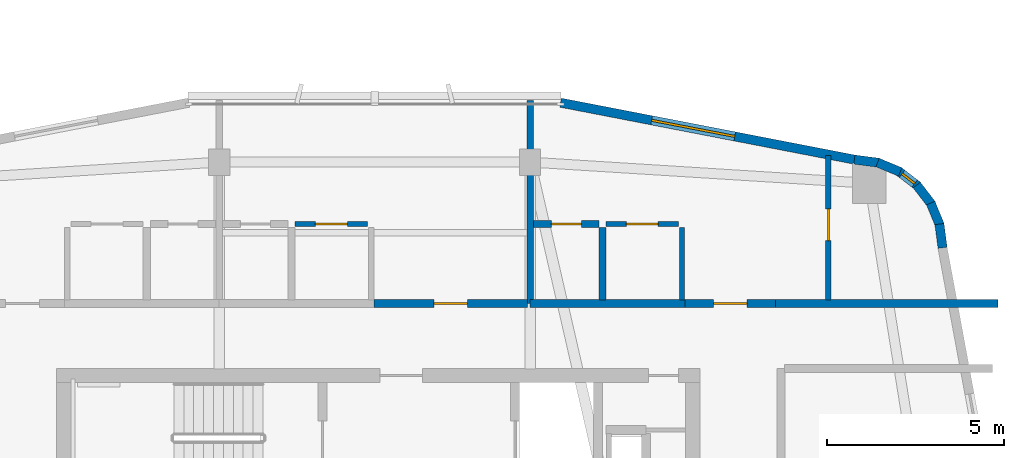
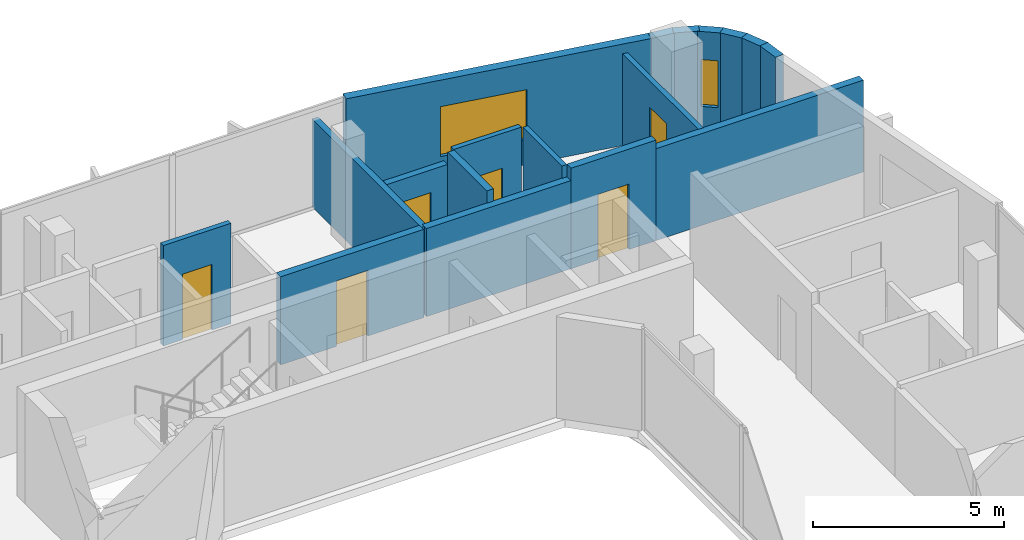
# One storey, part 20 of 26: 18 walls, 6 doors, 2 windows, 8 openings.
"""IFC4 building model written with IfcOpenShell, lengths in metres."""

from ifc_helpers import new_model, si_unit, derived_unit, direction, frame, frame_2d, origin, place, context, subcontext, project, spatial, rectangle, extrude, material, layer, layer_set, type_object, element, fill, save


model = new_model("IFC4")

# Units and contexts
model_context = context("Model", 3, precision=1e-05, world=origin(), true_north=direction((0.0, 1.0)))
body_context = subcontext(model_context, "Body", "Model", "MODEL_VIEW")
ifc_project = project(units=[si_unit("LENGTHUNIT", "METRE"), si_unit("AREAUNIT", "SQUARE_METRE"), si_unit("VOLUMEUNIT", "CUBIC_METRE"), si_unit("PLANEANGLEUNIT", "RADIAN"), si_unit("MASSUNIT", "GRAM", prefix="KILO"), derived_unit("THERMALTRANSMITTANCEUNIT", [(si_unit("POWERUNIT", "WATT"), 1), (si_unit("LENGTHUNIT", "METRE"), -2), (si_unit("THERMODYNAMICTEMPERATUREUNIT", "KELVIN"), -1)])], contexts=[model_context])

# Site, building, storey
site_placement = place(None, origin())
site = spatial("IfcSite", under=ifc_project, at=site_placement, CompositionType="ELEMENT")
building_placement = place(site_placement, origin())
building = spatial("IfcBuilding", under=site, at=building_placement, Name="Kivonza Crest Hotel", CompositionType="ELEMENT")
storey_placement = place(building_placement, frame((0.0, 0.0, 105.5)))
storey = spatial("IfcBuildingStorey", under=building, at=storey_placement, Name="L28", CompositionType="ELEMENT", Elevation=105.5)

# Wall
ifc_material_1 = material(Name="High-density acoustic masonry inter-tenancy wall", Category="masonry")
ifc_layer_1 = layer(ifc_material_1, 0.179931640625)
ifc_layer_set_1 = layer_set([ifc_layer_1], Name="High-density acoustic masonry inter-tenancy wall")
wall_type_1 = type_object("IfcWallType", Name="WL-ACOU-180", PredefinedType="SOLIDWALL", material=ifc_layer_set_1)
wall_1_placement = place(storey_placement, frame((81.39990234375, 37.60009765625, 0.0), z_axis=(0.0, 0.0, 1.0), x_axis=(0.0, 1.0, 0.0)))
element("IfcWall", 1, at=wall_1_placement, inside=storey, type_object=wall_type_1, Name="L28 interior partition WA-L28-T2N-DIV2", PredefinedType="SOLIDWALL", context=body_context, shape_type="SweptSolid", body=[
    extrude(rectangle(XDim=5.739990234375, YDim=0.179931640625, at=frame_2d((2.8701171875, 0.0))), origin(), (0.0, 0.0, 1.0), 2.824951171875),
])

# Wall, opening, door
ifc_material_2 = material(Name="Autoclaved aerated concrete blockwork", Category="masonry")
ifc_layer_2 = layer(ifc_material_2, 0.219970703125)
ifc_layer_set_2 = layer_set([ifc_layer_2], Name="Autoclaved aerated concrete blockwork")
wall_type_2 = type_object("IfcWallType", Name="WL-ACOU-220", PredefinedType="SOLIDWALL", material=ifc_layer_set_2)
wall_2_placement = place(storey_placement, frame((76.97998046875, 37.60009765625, 0.0), z_axis=(0.0, 0.0, 1.0), x_axis=(1.0, 0.0, 0.0)))
wall_2 = element("IfcWall", 2, at=wall_2_placement, inside=storey, type_object=wall_type_2, Name="L28 interior partition WA-L28-A02-MCORR", PredefinedType="SOLIDWALL", context=body_context, shape_type="SweptSolid", body=[
    extrude(rectangle(XDim=4.340087890625, YDim=0.219970703125, at=frame_2d((2.169921875, 0.0))), origin(), (0.0, 0.0, 1.0), 2.824951171875),
])
opening_1_placement = place(wall_2_placement, frame((1.695068359375, 0.0, 0.0)))
opening_1 = element("IfcOpeningElement", 3, at=opening_1_placement, cuts=wall_2, Name="Opening DU-60", PredefinedType="OPENING", context=body_context, shape_type="SweptSolid", body=[
    extrude(rectangle(XDim=0.949951171875, YDim=2.10009765625, at=frame_2d((0.47509765625, 1.050048828125))), frame((0.0, 0.1201171875, 0.0), z_axis=(0.0, -1.0, 0.0), x_axis=(1.0, 0.0, 0.0)), (0.0, 0.0, 1.0), 0.239990234375),
])
ifc_material_3 = material(Name="Hardwood timber oak", Category="wood")
door_type_1 = type_object("IfcDoorType", Name="DR-UNIT-950", OperationType="NOTDEFINED", PredefinedType="DOOR", material=ifc_material_3)
door_1_placement = place(opening_1_placement, origin())
door_1 = element("IfcDoor", 4, at=door_1_placement, inside=storey, type_object=door_type_1, Name="L28 A02 apartment entrance fire door", OperationType="SINGLE_SWING_RIGHT", OverallHeight=2.10009765625, OverallWidth=0.949951171875, PredefinedType="DOOR", context=body_context, shape_type="SweptSolid", body=[
    extrude(rectangle(XDim=0.949951171875, YDim=2.10009765625, at=frame_2d((0.47509765625, 1.050048828125))), frame((0.0, 0.02490234375, 0.0), z_axis=(0.0, -1.0, 0.0), x_axis=(1.0, 0.0, 0.0)), (0.0, 0.0, 1.0), 0.050048828125),
])
fill(opening_1, door_1)

# Walls
wall_3_placement = place(storey_placement, frame((81.39990234375, 37.60009765625, 0.0), z_axis=(0.0, 0.0, 1.0), x_axis=(1.0, 0.0, 0.0)))
element("IfcWall", 5, at=wall_3_placement, inside=storey, type_object=wall_type_2, Name="L28 interior partition WA-L28-A03-LCORR", PredefinedType="SOLIDWALL", context=body_context, shape_type="SweptSolid", body=[
    extrude(rectangle(XDim=4.380126953125, YDim=0.219970703125, at=frame_2d((2.18994140625, 0.0))), origin(), (0.0, 0.0, 1.0), 2.824951171875),
])
wall_4_placement = place(storey_placement, frame((88.35009765625, 37.60009765625, 0.0), z_axis=(0.0, 0.0, 1.0), x_axis=(1.0, 0.0, 0.0)))
element("IfcWall", 6, at=wall_4_placement, inside=storey, type_object=wall_type_2, Name="L28 interior partition WA-L28-A03-RCORR", PredefinedType="SOLIDWALL", context=body_context, shape_type="SweptSolid", body=[
    extrude(rectangle(XDim=6.289794921875, YDim=0.219970703125, at=frame_2d((3.14501953125, 0.0))), origin(), (0.0, 0.0, 1.0), 2.945068359375),
])

# Wall, opening, door
wall_5_placement = place(storey_placement, frame((85.780029296875, 37.60009765625, 0.0), z_axis=(0.0, 0.0, 1.0), x_axis=(1.0, 0.0, 0.0)))
wall_5 = element("IfcWall", 7, at=wall_5_placement, inside=storey, type_object=wall_type_2, Name="L28 interior partition WA-L28-A03-MCORR", PredefinedType="SOLIDWALL", context=body_context, shape_type="SweptSolid", body=[
    extrude(rectangle(XDim=2.570068359375, YDim=0.219970703125, at=frame_2d((1.28515625, 0.0))), origin(), (0.0, 0.0, 1.0), 3.219970703125),
])
opening_2_placement = place(wall_5_placement, frame((0.81005859375, 0.0, 0.0)))
opening_2 = element("IfcOpeningElement", 8, at=opening_2_placement, cuts=wall_5, Name="Opening DU-60", PredefinedType="OPENING", context=body_context, shape_type="SweptSolid", body=[
    extrude(rectangle(XDim=0.949951171875, YDim=2.10009765625, at=frame_2d((0.47509765625, 1.050048828125))), frame((0.0, 0.1201171875, 0.0), z_axis=(0.0, -1.0, 0.0), x_axis=(1.0, 0.0, 0.0)), (0.0, 0.0, 1.0), 0.239990234375),
])
door_2_placement = place(opening_2_placement, origin())
door_2 = element("IfcDoor", 9, at=door_2_placement, inside=storey, type_object=door_type_1, Name="L28 A03 apartment entrance fire door", OperationType="SINGLE_SWING_LEFT", OverallHeight=2.10009765625, OverallWidth=0.949951171875, PredefinedType="DOOR", context=body_context, shape_type="SweptSolid", body=[
    extrude(rectangle(XDim=0.949951171875, YDim=2.10009765625, at=frame_2d((0.47509765625, 1.050048828125))), frame((0.0, 0.02490234375, 0.0), z_axis=(0.0, -1.0, 0.0), x_axis=(1.0, 0.0, 0.0)), (0.0, 0.0, 1.0), 0.050048828125),
])
fill(opening_2, door_2)

# Walls
ifc_material_4 = material(Name="Precast concrete C40/50", Category="concrete")
ifc_layer_3 = layer(ifc_material_4, 0.260009765625)
ifc_layer_set_3 = layer_set([ifc_layer_3], Name="Precast concrete C40/50")
wall_type_3 = type_object("IfcWallType", Name="WL-EXT-260", PredefinedType="STANDARD", material=ifc_layer_set_3)
wall_6_placement = place(storey_placement, frame((93.072021484375, 39.175048828125, 0.0), z_axis=(0.0, 0.0, 1.0), x_axis=(-0.131667498923, 0.991293937098, 0.0)))
element("IfcWall", 10, at=wall_6_placement, inside=storey, type_object=wall_type_3, Name="L28 T2 exterior insulated wall 19", PredefinedType="STANDARD", context=body_context, shape_type="SweptSolid", body=[
    extrude(rectangle(XDim=0.6767578125, YDim=0.260009765625, at=frame_2d((0.33837890625, 0.0))), origin(), (0.0, 0.0, 1.0), 3.25),
])
wall_7_placement = place(storey_placement, frame((93.0009765625, 39.800048828125, 0.0), z_axis=(0.0, 0.0, 1.0), x_axis=(-0.381988976935, 0.924166879681, 0.0)))
element("IfcWall", 11, at=wall_7_placement, inside=storey, type_object=wall_type_3, Name="L28 T2 exterior insulated wall 20", PredefinedType="STANDARD", context=body_context, shape_type="SweptSolid", body=[
    extrude(rectangle(XDim=0.693359375, YDim=0.260009765625, at=frame_2d((0.3466796875, 0.0))), origin(), (0.0, 0.0, 1.0), 3.25),
])
wall_8_placement = place(storey_placement, frame((92.763916015625, 40.40087890625, 0.0), z_axis=(0.0, 0.0, 1.0), x_axis=(-0.609472651958, 0.792807092876, 0.0)))
element("IfcWall", 12, at=wall_8_placement, inside=storey, type_object=wall_type_3, Name="L28 T2 exterior insulated wall 21", PredefinedType="STANDARD", context=body_context, shape_type="SweptSolid", body=[
    extrude(rectangle(XDim=0.69384765625, YDim=0.260009765625, at=frame_2d((0.346923828125, 0.0))), origin(), (0.0, 0.0, 1.0), 3.25),
])

# Wall, opening, window
wall_9_placement = place(storey_placement, frame((92.37890625, 40.919921875, 0.0), z_axis=(0.0, 0.0, 1.0), x_axis=(-0.792506234191, 0.609863811657, 0.0)))
wall_9 = element("IfcWall", 13, at=wall_9_placement, inside=storey, type_object=wall_type_3, Name="L28 T2 exterior insulated wall 22", PredefinedType="STANDARD", context=body_context, shape_type="SweptSolid", body=[
    extrude(rectangle(XDim=0.69384765625, YDim=0.260009765625, at=frame_2d((0.346923828125, 0.0))), origin(), (0.0, 0.0, 1.0), 3.25),
])
opening_3_placement = place(wall_9_placement, frame((0.1220703125, 0.0, 0.85009765625)))
opening_3 = element("IfcOpeningElement", 14, at=opening_3_placement, cuts=wall_9, Name="Opening WN-11", PredefinedType="OPENING", context=body_context, shape_type="SweptSolid", body=[
    extrude(rectangle(XDim=0.449951171875, YDim=1.5, at=frame_2d((0.22509765625, 0.75))), frame((0.0, 0.14013671875, 0.0), z_axis=(0.0, -1.0, 0.0), x_axis=(1.0, 0.0, 0.0)), (0.0, 0.0, 1.0), 0.280029296875),
])
ifc_material_5 = material(Name="Thermally broken bronze aluminium and low-E double glazing", Category="aluminium")
window_type_1 = type_object("IfcWindowType", Name="WN-045x150", PartitioningType="SINGLE_PANEL", PredefinedType="WINDOW", material=ifc_material_5)
window_1_placement = place(opening_3_placement, origin())
window_1 = element("IfcWindow", 15, at=window_1_placement, inside=storey, type_object=window_type_1, Name="L28 corner vision window 4", OverallHeight=1.5, OverallWidth=0.449951171875, PartitioningType="SINGLE_PANEL", PredefinedType="WINDOW", context=body_context, shape_type="SweptSolid", body=[
    extrude(rectangle(XDim=0.449951171875, YDim=1.5, at=frame_2d((0.22509765625, 0.75))), frame((0.0, 0.030029296875, 0.0), z_axis=(0.0, -1.0, 0.0), x_axis=(1.0, 0.0, 0.0)), (0.0, 0.0, 1.0), 0.06005859375),
])
fill(opening_3, window_1)

# Walls
wall_10_placement = place(storey_placement, frame((91.873046875, 41.322021484375, 0.0), z_axis=(0.0, 0.0, 1.0), x_axis=(-0.92421822618, 0.381864727877, 0.0)))
element("IfcWall", 16, at=wall_10_placement, inside=storey, type_object=wall_type_3, Name="L28 T2 exterior insulated wall 23", PredefinedType="STANDARD", context=body_context, shape_type="SweptSolid", body=[
    extrude(rectangle(XDim=0.693603515625, YDim=0.260009765625, at=frame_2d((0.3466796875, 0.0))), origin(), (0.0, 0.0, 1.0), 3.25),
])
wall_11_placement = place(storey_placement, frame((91.281005859375, 41.5791015625, 0.0), z_axis=(0.0, 0.0, 1.0), x_axis=(-0.991433279471, 0.130614135366, 0.0)))
element("IfcWall", 17, at=wall_11_placement, inside=storey, type_object=wall_type_3, Name="L28 T2 exterior insulated wall 24", PredefinedType="STANDARD", context=body_context, shape_type="SweptSolid", body=[
    extrude(rectangle(XDim=0.712158203125, YDim=0.260009765625, at=frame_2d((0.35595703125, 0.0))), origin(), (0.0, 0.0, 1.0), 3.25),
])

# Wall, opening, window
wall_12_placement = place(storey_placement, frame((90.5830078125, 41.669921875, 0.0), z_axis=(0.0, 0.0, 1.0), x_axis=(-0.981750199588, 0.190175039396, 0.0)))
wall_12 = element("IfcWall", 18, at=wall_12_placement, inside=storey, type_object=wall_type_3, Name="L28 T2 exterior insulated wall 25", PredefinedType="STANDARD", context=body_context, shape_type="SweptSolid", body=[
    extrude(rectangle(XDim=8.476806640625, YDim=0.260009765625, at=frame_2d((4.23828125, 0.0))), origin(), (0.0, 0.0, 1.0), 3.25),
])
opening_4_placement = place(wall_12_placement, frame((3.4541015625, 0.0, 0.800048828125)))
opening_4 = element("IfcOpeningElement", 19, at=opening_4_placement, cuts=wall_12, Name="Opening WN-05", PredefinedType="OPENING", context=body_context, shape_type="SweptSolid", body=[
    extrude(rectangle(XDim=2.39990234375, YDim=1.60009765625, at=frame_2d((1.199951171875, 0.800048828125))), frame((0.0, 0.14013671875, 0.0), z_axis=(0.0, -1.0, 0.0), x_axis=(1.0, 0.0, 0.0)), (0.0, 0.0, 1.0), 0.280029296875),
])
window_type_2 = type_object("IfcWindowType", Name="WN-240x160", PartitioningType="TRIPLE_PANEL_VERTICAL", PredefinedType="WINDOW", material=ifc_material_5)
window_2_placement = place(opening_4_placement, origin())
window_2 = element("IfcWindow", 20, at=window_2_placement, inside=storey, type_object=window_type_2, Name="L28 T2 facade window 25", OverallHeight=1.60009765625, OverallWidth=2.39990234375, PartitioningType="SINGLE_PANEL", PredefinedType="WINDOW", context=body_context, shape_type="SweptSolid", body=[
    extrude(rectangle(XDim=2.39990234375, YDim=1.60009765625, at=frame_2d((1.199951171875, 0.800048828125))), frame((0.0, 0.030029296875, 0.0), z_axis=(0.0, -1.0, 0.0), x_axis=(1.0, 0.0, 0.0)), (0.0, 0.0, 1.0), 0.06005859375),
])
fill(opening_4, window_2)

# Wall, opening, door
ifc_material_6 = material(Name="Twin-stud acoustic gypsum board partition", Category="gypsum")
ifc_layer_4 = layer(ifc_material_6, 0.14990234375)
ifc_layer_set_4 = layer_set([ifc_layer_4], Name="Twin-stud acoustic gypsum board partition")
wall_type_4 = type_object("IfcWallType", Name="WL-PART-150", PredefinedType="PARTITIONING", material=ifc_layer_set_4)
wall_13_placement = place(storey_placement, frame((74.75, 39.85009765625, 0.0), z_axis=(0.0, 0.0, 1.0), x_axis=(1.0, 0.0, 0.0)))
wall_13 = element("IfcWall", 21, at=wall_13_placement, inside=storey, type_object=wall_type_4, Name="L28 interior partition WP-L28-A02-KSVC", PredefinedType="PARTITIONING", context=body_context, shape_type="SweptSolid", body=[
    extrude(rectangle(XDim=2.050048828125, YDim=0.14990234375, at=frame_2d((1.02490234375, 0.0))), origin(), (0.0, 0.0, 1.0), 3.219970703125),
])
opening_5_placement = place(wall_13_placement, frame((0.574951171875, 0.0, 0.0)))
opening_5 = element("IfcOpeningElement", 22, at=opening_5_placement, cuts=wall_13, Name="Opening DI-90", PredefinedType="OPENING", context=body_context, shape_type="SweptSolid", body=[
    extrude(rectangle(XDim=0.89990234375, YDim=2.10009765625, at=frame_2d((0.449951171875, 1.050048828125))), frame((0.0, 0.0849609375, 0.0), z_axis=(0.0, -1.0, 0.0), x_axis=(1.0, 0.0, 0.0)), (0.0, 0.0, 1.0), 0.169921875),
])
door_type_2 = type_object("IfcDoorType", Name="DR-INT-900", OperationType="NOTDEFINED", PredefinedType="DOOR", material=ifc_material_3)
door_3_placement = place(opening_5_placement, origin())
door_3 = element("IfcDoor", 23, at=door_3_placement, inside=storey, type_object=door_type_2, Name="L28 A02 apartment kitchen door", OperationType="SINGLE_SWING_RIGHT", OverallHeight=2.10009765625, OverallWidth=0.89990234375, PredefinedType="DOOR", context=body_context, shape_type="SweptSolid", body=[
    extrude(rectangle(XDim=0.89990234375, YDim=2.10009765625, at=frame_2d((0.449951171875, 1.050048828125))), frame((0.0, 0.02490234375, 0.0), z_axis=(0.0, -1.0, 0.0), x_axis=(1.0, 0.0, 0.0)), (0.0, 0.0, 1.0), 0.050048828125),
])
fill(opening_5, door_3)

wall_14_placement = place(storey_placement, frame((89.840087890625, 37.699951171875, 0.0), z_axis=(0.0, 0.0, 1.0), x_axis=(0.0, 1.0, 0.0)))
wall_14 = element("IfcWall", 24, at=wall_14_placement, inside=storey, type_object=wall_type_4, Name="L28 interior partition WP-L28-A03-BDW1", PredefinedType="PARTITIONING", context=body_context, shape_type="SweptSolid", body=[
    extrude(rectangle(XDim=4.0859375, YDim=0.14990234375, at=frame_2d((2.04296875, 0.0))), origin(), (0.0, 0.0, 1.0), 2.945068359375),
])
opening_6_placement = place(wall_14_placement, frame((1.679931640625, 0.0, 0.0)))
opening_6 = element("IfcOpeningElement", 25, at=opening_6_placement, cuts=wall_14, Name="Opening DI-90", PredefinedType="OPENING", context=body_context, shape_type="SweptSolid", body=[
    extrude(rectangle(XDim=0.89990234375, YDim=2.10009765625, at=frame_2d((0.449951171875, 1.050048828125))), frame((0.0, 0.0849609375, 0.0), z_axis=(0.0, -1.0, 0.0), x_axis=(1.0, 0.0, 0.0)), (0.0, 0.0, 1.0), 0.169921875),
])
door_4_placement = place(opening_6_placement, origin())
door_4 = element("IfcDoor", 26, at=door_4_placement, inside=storey, type_object=door_type_2, Name="L28 A03 bedroom 1 door", OperationType="SINGLE_SWING_RIGHT", OverallHeight=2.10009765625, OverallWidth=0.89990234375, PredefinedType="DOOR", context=body_context, shape_type="SweptSolid", body=[
    extrude(rectangle(XDim=0.89990234375, YDim=2.10009765625, at=frame_2d((0.449951171875, 1.050048828125))), frame((0.0, 0.02490234375, 0.0), z_axis=(0.0, -1.0, 0.0), x_axis=(1.0, 0.0, 0.0)), (0.0, 0.0, 1.0), 0.050048828125),
])
fill(opening_6, door_4)

# Wall
wall_15_placement = place(storey_placement, frame((85.699951171875, 37.699951171875, 0.0), z_axis=(0.0, 0.0, 1.0), x_axis=(0.0, 1.0, 0.0)))
element("IfcWall", 27, at=wall_15_placement, inside=storey, type_object=wall_type_4, Name="L28 interior partition WP-L28-A03-KF", PredefinedType="PARTITIONING", context=body_context, shape_type="SweptSolid", body=[
    extrude(rectangle(XDim=2.050048828125, YDim=0.14990234375, at=frame_2d((1.02490234375, 0.0))), origin(), (0.0, 0.0, 1.0), 3.219970703125),
])

# Wall, opening, door
wall_16_placement = place(storey_placement, frame((83.550048828125, 39.85009765625, 0.0), z_axis=(0.0, 0.0, 1.0), x_axis=(1.0, 0.0, 0.0)))
wall_16 = element("IfcWall", 28, at=wall_16_placement, inside=storey, type_object=wall_type_4, Name="L28 interior partition WP-L28-A03-KSVC", PredefinedType="PARTITIONING", context=body_context, shape_type="SweptSolid", body=[
    extrude(rectangle(XDim=2.050048828125, YDim=0.14990234375, at=frame_2d((1.02490234375, 0.0))), origin(), (0.0, 0.0, 1.0), 3.219970703125),
])
opening_7_placement = place(wall_16_placement, frame((0.574951171875, 0.0, 0.0)))
opening_7 = element("IfcOpeningElement", 29, at=opening_7_placement, cuts=wall_16, Name="Opening DI-90", PredefinedType="OPENING", context=body_context, shape_type="SweptSolid", body=[
    extrude(rectangle(XDim=0.89990234375, YDim=2.10009765625, at=frame_2d((0.449951171875, 1.050048828125))), frame((0.0, 0.0849609375, 0.0), z_axis=(0.0, -1.0, 0.0), x_axis=(1.0, 0.0, 0.0)), (0.0, 0.0, 1.0), 0.169921875),
])
door_5_placement = place(opening_7_placement, origin())
door_5 = element("IfcDoor", 30, at=door_5_placement, inside=storey, type_object=door_type_2, Name="L28 A03 apartment kitchen door", OperationType="SINGLE_SWING_LEFT", OverallHeight=2.10009765625, OverallWidth=0.89990234375, PredefinedType="DOOR", context=body_context, shape_type="SweptSolid", body=[
    extrude(rectangle(XDim=0.89990234375, YDim=2.10009765625, at=frame_2d((0.449951171875, 1.050048828125))), frame((0.0, 0.02490234375, 0.0), z_axis=(0.0, -1.0, 0.0), x_axis=(1.0, 0.0, 0.0)), (0.0, 0.0, 1.0), 0.050048828125),
])
fill(opening_7, door_5)

# Wall
ifc_material_7 = material(Name="Moisture-resistant plumbing chase partition wall", Category="gypsum")
ifc_layer_5 = layer(ifc_material_7, 0.199951171875)
ifc_layer_set_5 = layer_set([ifc_layer_5], Name="Moisture-resistant plumbing chase partition wall")
wall_type_5 = type_object("IfcWallType", Name="WL-PLUMB-200", PredefinedType="PLUMBINGWALL", material=ifc_layer_set_5)
wall_17_placement = place(storey_placement, frame((83.449951171875, 37.699951171875, 0.0), z_axis=(0.0, 0.0, 1.0), x_axis=(0.0, 1.0, 0.0)))
element("IfcWall", 31, at=wall_17_placement, inside=storey, type_object=wall_type_5, Name="L28 interior partition WW-L28-A03-BK", PredefinedType="PLUMBINGWALL", context=body_context, shape_type="SweptSolid", body=[
    extrude(rectangle(XDim=2.050048828125, YDim=0.199951171875, at=frame_2d((1.02490234375, 0.0))), origin(), (0.0, 0.0, 1.0), 3.219970703125),
])

# Wall, opening, door
wall_18_placement = place(storey_placement, frame((81.5, 39.85009765625, 0.0), z_axis=(0.0, 0.0, 1.0), x_axis=(1.0, 0.0, 0.0)))
wall_18 = element("IfcWall", 32, at=wall_18_placement, inside=storey, type_object=wall_type_5, Name="L28 interior partition WW-L28-A03-BSVC", PredefinedType="PLUMBINGWALL", context=body_context, shape_type="SweptSolid", body=[
    extrude(rectangle(XDim=1.85009765625, YDim=0.199951171875, at=frame_2d((0.925048828125, 0.0))), origin(), (0.0, 0.0, 1.0), 2.824951171875),
])
opening_8_placement = place(wall_18_placement, frame((0.5, 0.0, 0.0)))
opening_8 = element("IfcOpeningElement", 33, at=opening_8_placement, cuts=wall_18, Name="Opening DI-85", PredefinedType="OPENING", context=body_context, shape_type="SweptSolid", body=[
    extrude(rectangle(XDim=0.85009765625, YDim=2.10009765625, at=frame_2d((0.425048828125, 1.050048828125))), frame((0.0, 0.10986328125, 0.0), z_axis=(0.0, -1.0, 0.0), x_axis=(1.0, 0.0, 0.0)), (0.0, 0.0, 1.0), 0.219970703125),
])
door_type_3 = type_object("IfcDoorType", Name="DR-INT-850", OperationType="NOTDEFINED", PredefinedType="DOOR", material=ifc_material_3)
door_6_placement = place(opening_8_placement, origin())
door_6 = element("IfcDoor", 34, at=door_6_placement, inside=storey, type_object=door_type_3, Name="L28 A03 apartment bathroom door", OperationType="SINGLE_SWING_RIGHT", OverallHeight=2.10009765625, OverallWidth=0.85009765625, PredefinedType="DOOR", context=body_context, shape_type="SweptSolid", body=[
    extrude(rectangle(XDim=0.85009765625, YDim=2.10009765625, at=frame_2d((0.425048828125, 1.050048828125))), frame((0.0, 0.02490234375, 0.0), z_axis=(0.0, -1.0, 0.0), x_axis=(1.0, 0.0, 0.0)), (0.0, 0.0, 1.0), 0.050048828125),
])
fill(opening_8, door_6)

save(model, "model.ifc")
